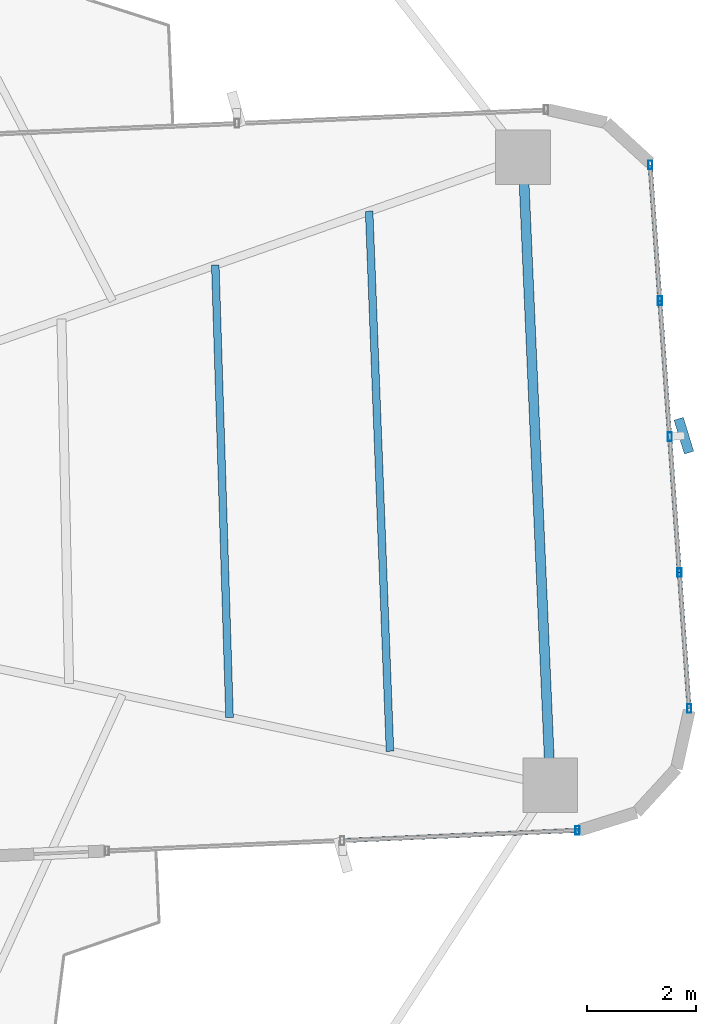
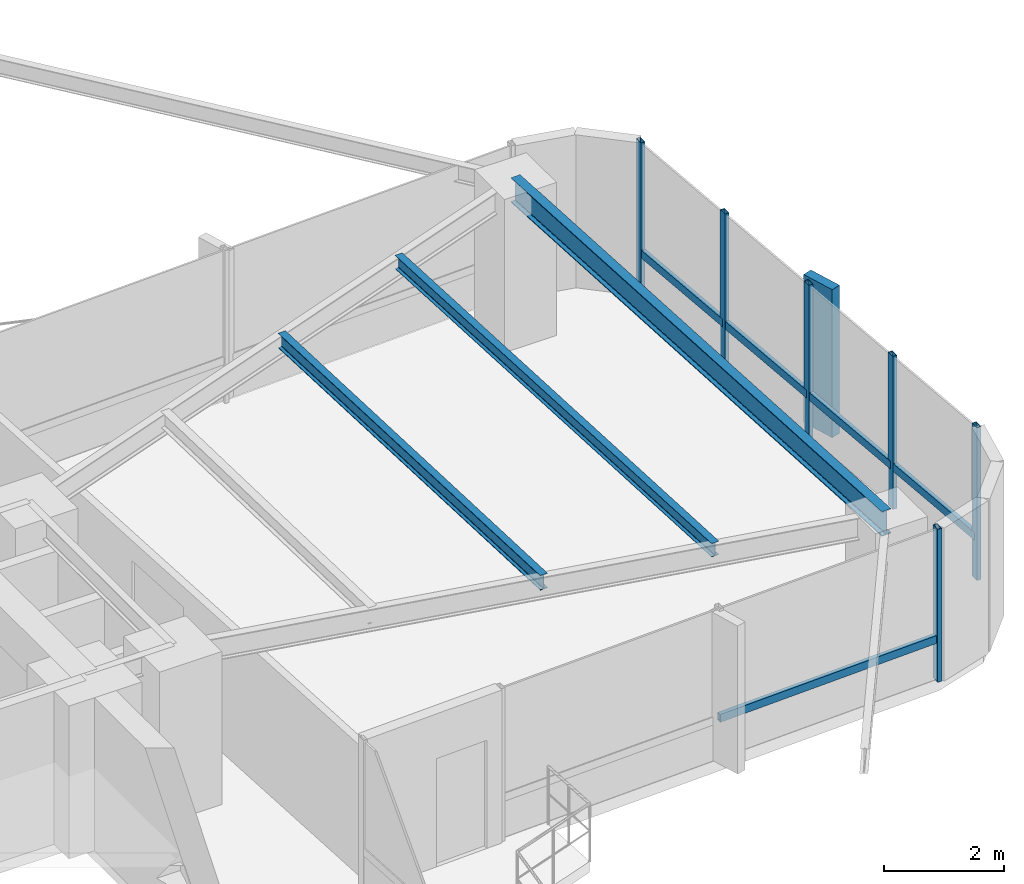
# One storey, part 15 of 26: 12 members, 3 beams, 2 elements without a shape of their own.
"""IFC4 building model written with IfcOpenShell, lengths in metres."""

from ifc_helpers import new_model, si_unit, direction, frame, origin, origin_2d, place, context, subcontext, project, spatial, rectangle, hollow_rectangle, i_section, extrude, source, transform, mapped, material, material_profile, profile_set, type_object, element, aggregate, save


model = new_model("IFC4")

# Units and contexts
model_context = context("Model", 3, precision=1e-05, world=origin(), true_north=direction((0.0, 1.0)))
body_context = subcontext(model_context, "Body", "Model", "MODEL_VIEW")
ifc_project = project(units=[si_unit("LENGTHUNIT", "METRE"), si_unit("AREAUNIT", "SQUARE_METRE"), si_unit("VOLUMEUNIT", "CUBIC_METRE"), si_unit("PLANEANGLEUNIT", "RADIAN"), si_unit("MASSUNIT", "GRAM", prefix="KILO")], contexts=[model_context])

# Site, building, storey
site_placement = place(None, origin())
site = spatial("IfcSite", under=ifc_project, at=site_placement, CompositionType="ELEMENT")
building_placement = place(site_placement, origin())
building = spatial("IfcBuilding", under=site, at=building_placement, Name="Sahyath Konkavel Grand Hotel", CompositionType="ELEMENT")
storey_placement = place(building_placement, frame((0.0, 0.0, 96.89990234375)))
storey = spatial("IfcBuildingStorey", under=building, at=storey_placement, Name="L26", CompositionType="ELEMENT", Elevation=96.89990234375)

# Beams
ifc_material_1 = material(Name="Steel E350", Category="steel")
ifc_material_profile_1 = material_profile(ifc_material_1, i_section(OverallWidth=0.179931640625, OverallDepth=0.5, WebThickness=0.01025390625, FlangeThickness=0.01708984375, FilletRadius=0.01708984375, at=origin_2d()), Name="ISMB 500")
ifc_profile_set_1 = profile_set([ifc_material_profile_1], Name="Steel E350")
beam_type_1 = type_object("IfcBeamType", Name="BM-ISMB500", PredefinedType="BEAM", material=ifc_profile_set_1)
shared_shape_1 = source(origin(), body_context, "Body", "SweptSolid", [
    extrude(i_section(OverallWidth=0.179931640625, OverallDepth=0.5, WebThickness=0.01025390625, FlangeThickness=0.01708984375, FilletRadius=0.01708984375, at=origin_2d()), origin(), (0.0, 0.0, 1.0), 11.5),
])
beam_1_placement = place(storey_placement, frame((17.734130859375, -4.981201171875, 2.860107421875), z_axis=(-0.043627008892, 0.99904788879, 0.0), x_axis=(-0.99904788879, -0.043627008892, 0.0)))
element("IfcBeam", 1, at=beam_1_placement, inside=storey, type_object=beam_type_1, Name="L26 Wing Tip Edge Beam E", PredefinedType="BEAM", context=body_context, shape_type="MappedRepresentation", body=[
    mapped(shared_shape_1, transform((0.0, 0.0, 0.0), scale=1.0)),
])
ifc_material_profile_2 = material_profile(ifc_material_1, i_section(OverallWidth=0.139892578125, OverallDepth=0.300048828125, WebThickness=0.0078125, FlangeThickness=0.01318359375, FilletRadius=0.013916015625, at=origin_2d()), Name="ISMB 300")
ifc_profile_set_2 = profile_set([ifc_material_profile_2], Name="Steel E350")
beam_type_2 = type_object("IfcBeamType", Name="BM-ISMB300", PredefinedType="BEAM", material=ifc_profile_set_2)
shared_shape_2 = source(origin(), body_context, "Body", "SweptSolid", [
    extrude(i_section(OverallWidth=0.139892578125, OverallDepth=0.300048828125, WebThickness=0.0078125, FlangeThickness=0.01318359375, FilletRadius=0.013916015625, at=origin_2d()), origin(), (0.0, 0.0, 1.0), 8.282470703125),
])
beam_2_placement = place(storey_placement, frame((11.86181640625, -3.7421875, 2.960205078125), z_axis=(-0.031510827707, 0.999503410568, 0.0), x_axis=(-0.999503410568, -0.031510827707, 0.0)))
element("IfcBeam", 2, at=beam_2_placement, inside=storey, type_object=beam_type_2, Name="L26 Secondary Floor Beam E-2", PredefinedType="BEAM", context=body_context, shape_type="MappedRepresentation", body=[
    mapped(shared_shape_2, transform((0.0, 0.0, 0.0), scale=1.0)),
])
ifc_material_profile_3 = material_profile(ifc_material_1, i_section(OverallWidth=0.139892578125, OverallDepth=0.27490234375, WebThickness=0.00634765625, FlangeThickness=0.0087890625, FilletRadius=0.012939453125, at=origin_2d()), Name="ISLB 275")
ifc_profile_set_3 = profile_set([ifc_material_profile_3], Name="Steel E350")
beam_type_3 = type_object("IfcBeamType", Name="BM-ISLB275", PredefinedType="BEAM", material=ifc_profile_set_3)
shared_shape_3 = source(origin(), body_context, "Body", "SweptSolid", [
    extrude(i_section(OverallWidth=0.139892578125, OverallDepth=0.27490234375, WebThickness=0.00634765625, FlangeThickness=0.0087890625, FilletRadius=0.012939453125, at=origin_2d()), origin(), (0.0, 0.0, 1.0), 9.89111328125),
])
beam_3_placement = place(storey_placement, frame((14.798095703125, -4.36181640625, 2.97265625), z_axis=(-0.03855445741, 0.999256500511, 0.0), x_axis=(-0.999256500511, -0.03855445741, 0.0)))
element("IfcBeam", 3, at=beam_3_placement, inside=storey, type_object=beam_type_3, Name="L26 Secondary Floor Beam E-3", PredefinedType="BEAM", context=body_context, shape_type="MappedRepresentation", body=[
    mapped(shared_shape_3, transform((0.0, 0.0, 0.0), scale=1.0)),
])

# Curtain wall, member
ifc_material_2 = material(Name="Anodised Bronze Aluminium & Low-E Glazing", Category="aluminium")
curtain_wall_type = type_object("IfcCurtainWallType", Name="CW-ZONE2", PredefinedType="NOTDEFINED", material=ifc_material_2)
curtain_wall_1_placement = place(storey_placement, origin())
curtain_wall_1 = element("IfcCurtainWall", 4, at=curtain_wall_1_placement, inside=storey, type_object=curtain_wall_type, Name="L26 Unitised Curtain Wall F4", PredefinedType="NOTDEFINED")
ifc_material_3 = material(Name="Warm Buff Sandstone Cladding on Concrete C50/60", Category="masonry")
ifc_material_profile_4 = material_profile(ifc_material_3, rectangle(XDim=0.179931640625, YDim=0.64990234375, at=origin_2d()), Name="FIN 180x650")
ifc_profile_set_4 = profile_set([ifc_material_profile_4], Name="Warm Buff Sandstone Cladding on Concrete C50/60")
member_type_1 = type_object("IfcMemberType", Name="FIN-SANDSTONE-650", PredefinedType="MULLION", material=ifc_profile_set_4)
shared_shape_4 = source(origin(), body_context, "Body", "SweptSolid", [
    extrude(rectangle(XDim=0.179931640625, YDim=0.64990234375, at=origin_2d()), origin(), (0.0, 0.0, 1.0), 3.010009765625),
])
member_1_placement = place(storey_placement, frame((20.1767578125, 1.413818359375, 0.050048828125), z_axis=(0.0, 0.0, 1.0), x_axis=(0.956151539415, 0.292872384621, 0.0)))
member_1 = element("IfcMember", 5, at=member_1_placement, type_object=member_type_1, Name="L26 Sandstone Vertical Solar Fin FIN F4-2", PredefinedType="MULLION", context=body_context, shape_type="MappedRepresentation", body=[
    mapped(shared_shape_4, transform((0.0, 0.0, 0.0), scale=1.0)),
])

curtain_wall_2_placement = place(storey_placement, origin())
curtain_wall_2 = element("IfcCurtainWall", 6, at=curtain_wall_2_placement, inside=storey, type_object=curtain_wall_type, Name="L26 Unitised Curtain Wall F0", PredefinedType="NOTDEFINED")
ifc_material_4 = material(Name="Anodised Bronze Aluminium", Category="aluminium")
ifc_material_profile_5 = material_profile(ifc_material_4, hollow_rectangle(XDim=0.080078125, YDim=0.159912109375, WallThickness=0.006103515625, at=origin_2d()), Name="RHS 160x80x6")
ifc_profile_set_5 = profile_set([ifc_material_profile_5], Name="Anodised Bronze Aluminium")
member_type_2 = type_object("IfcMemberType", Name="CW-MUL-160", PredefinedType="MULLION", material=ifc_profile_set_5)
shared_shape_5 = source(origin(), body_context, "Body", "SweptSolid", [
    extrude(hollow_rectangle(XDim=0.080078125, YDim=0.159912109375, WallThickness=0.006103515625, at=origin_2d()), origin(), (0.0, 0.0, 1.0), 3.110107421875),
])
member_2_placement = place(storey_placement, frame((18.230712890625, -5.810302734375, 0.0), z_axis=(0.0, 0.0, 1.0), x_axis=(1.0, 0.0, 0.0)))
member_2 = element("IfcMember", 7, at=member_2_placement, type_object=member_type_2, Name="L26 Curtain Wall Mullion F0-2", PredefinedType="MULLION", context=body_context, shape_type="MappedRepresentation", body=[
    mapped(shared_shape_5, transform((0.0, 0.0, 0.0), scale=1.0)),
])

# Member
member_3_placement = place(storey_placement, frame((20.2744140625, -3.5791015625, 0.0), z_axis=(0.0, 0.0, 1.0), x_axis=(1.0, 0.0, 0.0)))
member_3 = element("IfcMember", 8, at=member_3_placement, type_object=member_type_2, Name="L26 Curtain Wall Mullion F4-0", PredefinedType="MULLION", context=body_context, shape_type="MappedRepresentation", body=[
    mapped(shared_shape_5, transform((0.0, 0.0, 0.0), scale=1.0)),
])

member_4_placement = place(storey_placement, frame((20.095947265625, -1.092041015625, 0.0), z_axis=(0.0, 0.0, 1.0), x_axis=(1.0, 0.0, 0.0)))
member_4 = element("IfcMember", 9, at=member_4_placement, type_object=member_type_2, Name="L26 Curtain Wall Mullion F4-1", PredefinedType="MULLION", context=body_context, shape_type="MappedRepresentation", body=[
    mapped(shared_shape_5, transform((0.0, 0.0, 0.0), scale=1.0)),
])

member_5_placement = place(storey_placement, frame((19.91748046875, 1.39501953125, 0.0), z_axis=(0.0, 0.0, 1.0), x_axis=(1.0, 0.0, 0.0)))
member_5 = element("IfcMember", 10, at=member_5_placement, type_object=member_type_2, Name="L26 Curtain Wall Mullion F4-2", PredefinedType="MULLION", context=body_context, shape_type="MappedRepresentation", body=[
    mapped(shared_shape_5, transform((0.0, 0.0, 0.0), scale=1.0)),
])

member_6_placement = place(storey_placement, frame((19.739013671875, 3.882080078125, 0.0), z_axis=(0.0, 0.0, 1.0), x_axis=(1.0, 0.0, 0.0)))
member_6 = element("IfcMember", 11, at=member_6_placement, type_object=member_type_2, Name="L26 Curtain Wall Mullion F4-3", PredefinedType="MULLION", context=body_context, shape_type="MappedRepresentation", body=[
    mapped(shared_shape_5, transform((0.0, 0.0, 0.0), scale=1.0)),
])

member_7_placement = place(storey_placement, frame((19.560546875, 6.369384765625, 0.0), z_axis=(0.0, 0.0, 1.0), x_axis=(1.0, 0.0, 0.0)))
member_7 = element("IfcMember", 12, at=member_7_placement, type_object=member_type_2, Name="L26 Curtain Wall Mullion F4-4", PredefinedType="MULLION", context=body_context, shape_type="MappedRepresentation", body=[
    mapped(shared_shape_5, transform((0.0, 0.0, 0.0), scale=1.0)),
])

ifc_material_profile_6 = material_profile(ifc_material_4, hollow_rectangle(XDim=0.080078125, YDim=0.159912109375, WallThickness=0.006103515625, at=origin_2d()), Name="RHS 160x80x6")
ifc_profile_set_6 = profile_set([ifc_material_profile_6], Name="Anodised Bronze Aluminium")
member_type_3 = type_object("IfcMemberType", Name="CW-TRN-160", PredefinedType="USERDEFINED", material=ifc_profile_set_6)
shared_shape_6 = source(origin(), body_context, "Body", "SweptSolid", [
    extrude(hollow_rectangle(XDim=0.080078125, YDim=0.159912109375, WallThickness=0.006103515625, at=origin_2d()), origin(), (0.0, 0.0, 1.0), 4.31005859375),
])
member_8_placement = place(storey_placement, frame((13.9248046875, -5.998291015625, 0.85009765625), z_axis=(0.999048340188, 0.043616670746, 0.0), x_axis=(-0.043616670746, 0.999048340188, 0.0)))
member_8 = element("IfcMember", 13, at=member_8_placement, type_object=member_type_3, Name="L26 Curtain Wall Transom F0-1-spandrel", ObjectType="TRANSOM", PredefinedType="USERDEFINED", context=body_context, shape_type="MappedRepresentation", body=[
    mapped(shared_shape_6, transform((0.0, 0.0, 0.0), scale=1.0)),
])

aggregate(curtain_wall_2, [member_2, member_8])

shared_shape_7 = source(origin(), body_context, "Body", "SweptSolid", [
    extrude(hollow_rectangle(XDim=0.080078125, YDim=0.159912109375, WallThickness=0.006103515625, at=origin_2d()), origin(), (0.0, 0.0, 1.0), 2.493408203125),
])
member_9_placement = place(storey_placement, frame((20.2744140625, -3.5791015625, 0.85009765625), z_axis=(-0.071574084062, 0.997435286367, 0.0), x_axis=(-0.997435286367, -0.071574084062, 0.0)))
member_9 = element("IfcMember", 14, at=member_9_placement, type_object=member_type_3, Name="L26 Curtain Wall Transom F4-0-spandrel", ObjectType="TRANSOM", PredefinedType="USERDEFINED", context=body_context, shape_type="MappedRepresentation", body=[
    mapped(shared_shape_7, transform((0.0, 0.0, 0.0), scale=1.0)),
])

member_10_placement = place(storey_placement, frame((20.095947265625, -1.092041015625, 0.85009765625), z_axis=(-0.071574084062, 0.997435286367, 0.0), x_axis=(-0.997435286367, -0.071574084062, 0.0)))
member_10 = element("IfcMember", 15, at=member_10_placement, type_object=member_type_3, Name="L26 Curtain Wall Transom F4-1-spandrel", ObjectType="TRANSOM", PredefinedType="USERDEFINED", context=body_context, shape_type="MappedRepresentation", body=[
    mapped(shared_shape_7, transform((0.0, 0.0, 0.0), scale=1.0)),
])

member_11_placement = place(storey_placement, frame((19.91748046875, 1.39501953125, 0.85009765625), z_axis=(-0.071574084062, 0.997435286367, 0.0), x_axis=(-0.997435286367, -0.071574084062, 0.0)))
member_11 = element("IfcMember", 16, at=member_11_placement, type_object=member_type_3, Name="L26 Curtain Wall Transom F4-2-spandrel", ObjectType="TRANSOM", PredefinedType="USERDEFINED", context=body_context, shape_type="MappedRepresentation", body=[
    mapped(shared_shape_7, transform((0.0, 0.0, 0.0), scale=1.0)),
])

shared_shape_8 = source(origin(), body_context, "Body", "SweptSolid", [
    extrude(hollow_rectangle(XDim=0.080078125, YDim=0.159912109375, WallThickness=0.006103515625, at=origin_2d()), origin(), (0.0, 0.0, 1.0), 2.49365234375),
])
member_12_placement = place(storey_placement, frame((19.739013671875, 3.882080078125, 0.85009765625), z_axis=(-0.071567094714, 0.997435787885, 0.0), x_axis=(-0.997435787885, -0.071567094714, 0.0)))
member_12 = element("IfcMember", 17, at=member_12_placement, type_object=member_type_3, Name="L26 Curtain Wall Transom F4-3-spandrel", ObjectType="TRANSOM", PredefinedType="USERDEFINED", context=body_context, shape_type="MappedRepresentation", body=[
    mapped(shared_shape_8, transform((0.0, 0.0, 0.0), scale=1.0)),
])

aggregate(curtain_wall_1, [member_3, member_4, member_5, member_1, member_6, member_7, member_9, member_10, member_11, member_12])

save(model, "model.ifc")
